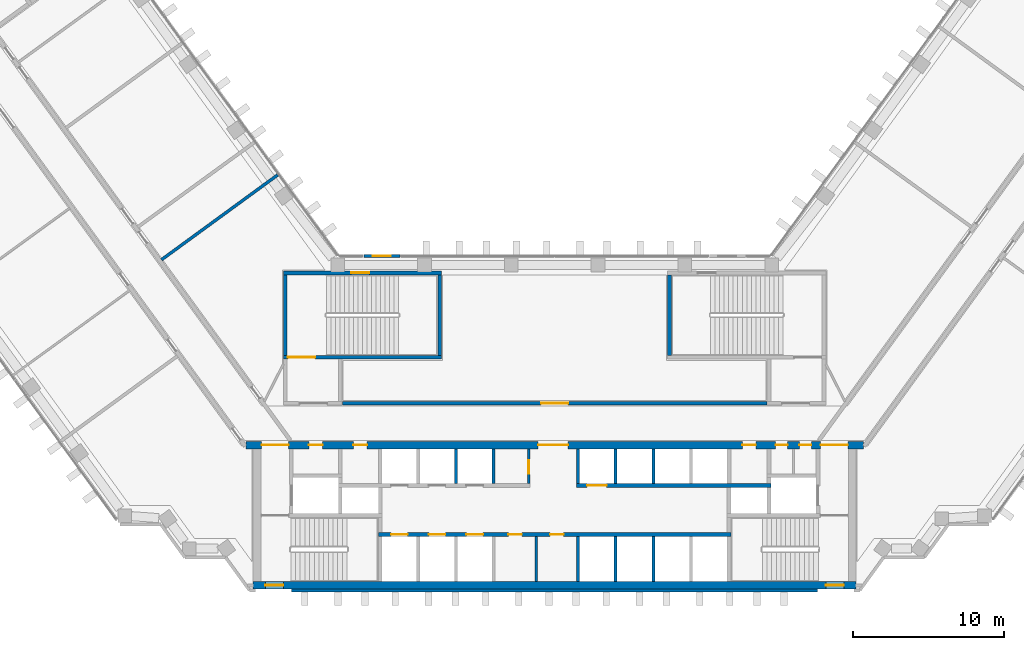
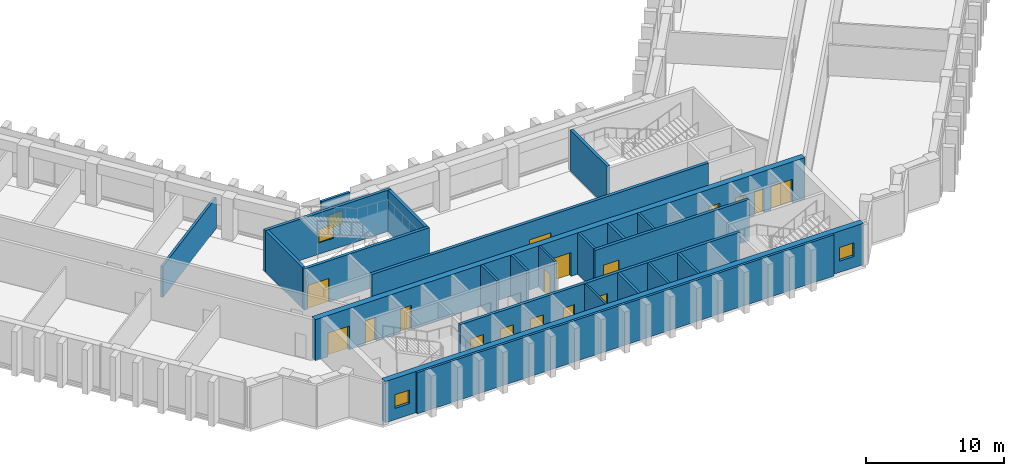
# One storey, part 9 of 17: 23 walls, 17 doors, 4 windows, 21 openings.
"""IFC4 building model written with IfcOpenShell, lengths in metres."""

from ifc_helpers import new_model, si_unit, direction, frame, frame_2d, origin, place, context, subcontext, project, spatial, rectangle, extrude, material, layer, layer_set, type_object, element, fill, save


model = new_model("IFC4")

# Units and contexts
model_context = context("Model", 3, precision=1e-05, world=origin(), true_north=direction((0.0, 1.0)))
body_context = subcontext(model_context, "Body", "Model", "MODEL_VIEW")
ifc_project = project(units=[si_unit("LENGTHUNIT", "METRE"), si_unit("AREAUNIT", "SQUARE_METRE"), si_unit("VOLUMEUNIT", "CUBIC_METRE"), si_unit("PLANEANGLEUNIT", "RADIAN"), si_unit("MASSUNIT", "GRAM", prefix="KILO")], contexts=[model_context])

# Site, building, storey
site_placement = place(None, origin())
site = spatial("IfcSite", under=ifc_project, at=site_placement, CompositionType="ELEMENT")
building_placement = place(site_placement, origin())
building = spatial("IfcBuilding", under=site, at=building_placement, Name="Quipu Civic Tower", CompositionType="ELEMENT")
storey_placement = place(building_placement, frame((0.0, 0.0, 43.0)))
storey = spatial("IfcBuildingStorey", under=building, at=storey_placement, Name="L09", CompositionType="ELEMENT", Elevation=43.0)

# Wall
ifc_material_1 = material(Name="Fired clay blockwork", Category="masonry")
ifc_layer_1 = layer(ifc_material_1, 0.199951171875)
ifc_layer_set_1 = layer_set([ifc_layer_1], Name="Fired clay blockwork")
wall_type_1 = type_object("IfcWallType", Name="Blockwork wall 200", PredefinedType="SOLIDWALL", material=ifc_layer_set_1)
wall_1_placement = place(storey_placement, frame((-26.089111328125, 10.847900390625, 0.0), z_axis=(0.0, 0.0, 1.0), x_axis=(0.807661302092, 0.589646691759, 0.0)))
element("IfcWall", 1, at=wall_1_placement, inside=storey, type_object=wall_type_1, Name="Partition P17", PredefinedType="SOLIDWALL", context=body_context, shape_type="SweptSolid", body=[
    extrude(rectangle(XDim=9.550048828125, YDim=0.199951171875, at=frame_2d((4.77490234375, 0.0))), origin(), (0.0, 0.0, 1.0), 2.75),
])

# Wall, openings, doors
ifc_material_2 = material(Name="Concrete C70/85", Category="concrete")
ifc_layer_2 = layer(ifc_material_2, 0.25)
ifc_layer_set_2 = layer_set([ifc_layer_2], Name="Concrete C70/85")
wall_type_2 = type_object("IfcWallType", Name="Core wall 250", PredefinedType="SHEAR", material=ifc_layer_set_2)
wall_2_placement = place(storey_placement, frame((11.699951171875, -7.375, 0.0), z_axis=(0.0, 0.0, 1.0), x_axis=(-1.0, 0.0, 0.0)))
wall_2 = element("IfcWall", 2, at=wall_2_placement, inside=storey, type_object=wall_type_2, Name="Core wall", PredefinedType="SHEAR", context=body_context, shape_type="SweptSolid", body=[
    extrude(rectangle(XDim=23.39990234375, YDim=0.25, at=frame_2d((11.699951171875, 0.0))), origin(), (0.0, 0.0, 1.0), 3.64990234375),
])
opening_1_placement = place(wall_2_placement, frame((21.449951171875, 0.0, 0.0)))
opening_1 = element("IfcOpeningElement", 3, at=opening_1_placement, cuts=wall_2, Name="Opening LD-LL1", PredefinedType="OPENING", context=body_context, shape_type="SweptSolid", body=[
    extrude(rectangle(XDim=1.10009765625, YDim=2.10009765625, at=frame_2d((0.550048828125, 1.050048828125))), frame((0.0, 0.135009765625, 0.0), z_axis=(0.0, -1.0, 0.0), x_axis=(1.0, 0.0, 0.0)), (0.0, 0.0, 1.0), 0.27001953125),
])
opening_2_placement = place(wall_2_placement, frame((18.949951171875, 0.0, 0.0)))
opening_2 = element("IfcOpeningElement", 4, at=opening_2_placement, cuts=wall_2, Name="Opening LD-LL2", PredefinedType="OPENING", context=body_context, shape_type="SweptSolid", body=[
    extrude(rectangle(XDim=1.10009765625, YDim=2.10009765625, at=frame_2d((0.550048828125, 1.050048828125))), frame((0.0, 0.135009765625, 0.0), z_axis=(0.0, -1.0, 0.0), x_axis=(1.0, 0.0, 0.0)), (0.0, 0.0, 1.0), 0.27001953125),
])
opening_3_placement = place(wall_2_placement, frame((16.449951171875, 0.0, 0.0)))
opening_3 = element("IfcOpeningElement", 5, at=opening_3_placement, cuts=wall_2, Name="Opening LD-LL3", PredefinedType="OPENING", context=body_context, shape_type="SweptSolid", body=[
    extrude(rectangle(XDim=1.10009765625, YDim=2.10009765625, at=frame_2d((0.550048828125, 1.050048828125))), frame((0.0, 0.135009765625, 0.0), z_axis=(0.0, -1.0, 0.0), x_axis=(1.0, 0.0, 0.0)), (0.0, 0.0, 1.0), 0.27001953125),
])
opening_4_placement = place(wall_2_placement, frame((13.875, 0.0, 0.0)))
opening_4 = element("IfcOpeningElement", 6, at=opening_4_placement, cuts=wall_2, Name="Opening CD-01", PredefinedType="OPENING", context=body_context, shape_type="SweptSolid", body=[
    extrude(rectangle(XDim=0.89990234375, YDim=2.10009765625, at=frame_2d((0.449951171875, 1.050048828125))), frame((0.0, 0.135009765625, 0.0), z_axis=(0.0, -1.0, 0.0), x_axis=(1.0, 0.0, 0.0)), (0.0, 0.0, 1.0), 0.27001953125),
])
opening_5_placement = place(wall_2_placement, frame((11.10009765625, 0.0, 0.0)))
opening_5 = element("IfcOpeningElement", 7, at=opening_5_placement, cuts=wall_2, Name="Opening CD-02", PredefinedType="OPENING", context=body_context, shape_type="SweptSolid", body=[
    extrude(rectangle(XDim=0.89990234375, YDim=2.10009765625, at=frame_2d((0.449951171875, 1.050048828125))), frame((0.0, 0.135009765625, 0.0), z_axis=(0.0, -1.0, 0.0), x_axis=(1.0, 0.0, 0.0)), (0.0, 0.0, 1.0), 0.27001953125),
])
ifc_material_3 = material(Name="Fire rated steel door", Category="steel")
door_type_1 = type_object("IfcDoorType", Name="Fire door FD60 900 x 2100", OperationType="NOTDEFINED", PredefinedType="DOOR", material=ifc_material_3)
door_1_placement = place(opening_4_placement, origin())
door_1 = element("IfcDoor", 8, at=door_1_placement, inside=storey, type_object=door_type_1, Name="WC door", OperationType="SINGLE_SWING_RIGHT", OverallHeight=2.10009765625, OverallWidth=0.89990234375, PredefinedType="DOOR", context=body_context, shape_type="SweptSolid", body=[
    extrude(rectangle(XDim=0.89990234375, YDim=2.10009765625, at=frame_2d((0.449951171875, 1.050048828125))), frame((0.0, 0.02490234375, 0.0), z_axis=(0.0, -1.0, 0.0), x_axis=(1.0, 0.0, 0.0)), (0.0, 0.0, 1.0), 0.050048828125),
])
fill(opening_4, door_1)
door_2_placement = place(opening_5_placement, origin())
door_2 = element("IfcDoor", 9, at=door_2_placement, inside=storey, type_object=door_type_1, Name="WC door", OperationType="SINGLE_SWING_LEFT", OverallHeight=2.10009765625, OverallWidth=0.89990234375, PredefinedType="DOOR", context=body_context, shape_type="SweptSolid", body=[
    extrude(rectangle(XDim=0.89990234375, YDim=2.10009765625, at=frame_2d((0.449951171875, 1.050048828125))), frame((0.0, 0.02490234375, 0.0), z_axis=(0.0, -1.0, 0.0), x_axis=(1.0, 0.0, 0.0)), (0.0, 0.0, 1.0), 0.050048828125),
])
fill(opening_5, door_2)
ifc_material_4 = material(Name="Stainless steel", Category="steel")
door_type_2 = type_object("IfcDoorType", Name="Lift landing door 1100 x 2100", OperationType="DOUBLE_DOOR_SLIDING", PredefinedType="DOOR", material=ifc_material_4)
door_3_placement = place(opening_1_placement, origin())
door_3 = element("IfcDoor", 10, at=door_3_placement, inside=storey, type_object=door_type_2, Name="Landing door LL1", OperationType="DOUBLE_DOOR_SLIDING", OverallHeight=2.10009765625, OverallWidth=1.10009765625, PredefinedType="DOOR", context=body_context, shape_type="SweptSolid", body=[
    extrude(rectangle(XDim=1.10009765625, YDim=2.10009765625, at=frame_2d((0.550048828125, 1.050048828125))), frame((0.0, 0.02490234375, 0.0), z_axis=(0.0, -1.0, 0.0), x_axis=(1.0, 0.0, 0.0)), (0.0, 0.0, 1.0), 0.050048828125),
])
fill(opening_1, door_3)
door_4_placement = place(opening_2_placement, origin())
door_4 = element("IfcDoor", 11, at=door_4_placement, inside=storey, type_object=door_type_2, Name="Landing door LL2", OperationType="DOUBLE_DOOR_SLIDING", OverallHeight=2.10009765625, OverallWidth=1.10009765625, PredefinedType="DOOR", context=body_context, shape_type="SweptSolid", body=[
    extrude(rectangle(XDim=1.10009765625, YDim=2.10009765625, at=frame_2d((0.550048828125, 1.050048828125))), frame((0.0, 0.02490234375, 0.0), z_axis=(0.0, -1.0, 0.0), x_axis=(1.0, 0.0, 0.0)), (0.0, 0.0, 1.0), 0.050048828125),
])
fill(opening_2, door_4)
door_5_placement = place(opening_3_placement, origin())
door_5 = element("IfcDoor", 12, at=door_5_placement, inside=storey, type_object=door_type_2, Name="Landing door LL3", OperationType="DOUBLE_DOOR_SLIDING", OverallHeight=2.10009765625, OverallWidth=1.10009765625, PredefinedType="DOOR", context=body_context, shape_type="SweptSolid", body=[
    extrude(rectangle(XDim=1.10009765625, YDim=2.10009765625, at=frame_2d((0.550048828125, 1.050048828125))), frame((0.0, 0.02490234375, 0.0), z_axis=(0.0, -1.0, 0.0), x_axis=(1.0, 0.0, 0.0)), (0.0, 0.0, 1.0), 0.050048828125),
])
fill(opening_3, door_5)

# Wall, opening, door
wall_3_placement = place(storey_placement, frame((1.449951171875, -4.125, 0.0), z_axis=(0.0, 0.0, 1.0), x_axis=(1.0, 0.0, 0.0)))
wall_3 = element("IfcWall", 13, at=wall_3_placement, inside=storey, type_object=wall_type_2, Name="Core wall", PredefinedType="SHEAR", context=body_context, shape_type="SweptSolid", body=[
    extrude(rectangle(XDim=12.900146484375, YDim=0.25, at=frame_2d((6.4501953125, 0.0))), origin(), (0.0, 0.0, 1.0), 3.64990234375),
])
opening_6_placement = place(wall_3_placement, frame((0.699951171875, 0.0, 0.0)))
opening_6 = element("IfcOpeningElement", 14, at=opening_6_placement, cuts=wall_3, Name="Opening LD-FF3", PredefinedType="OPENING", context=body_context, shape_type="SweptSolid", body=[
    extrude(rectangle(XDim=1.300048828125, YDim=2.10009765625, at=frame_2d((0.64990234375, 1.050048828125))), frame((0.0, 0.135009765625, 0.0), z_axis=(0.0, -1.0, 0.0), x_axis=(1.0, 0.0, 0.0)), (0.0, 0.0, 1.0), 0.27001953125),
])
ifc_material_5 = material(Name="Stainless steel", Category="steel")
door_type_3 = type_object("IfcDoorType", Name="Lift landing door 1300 x 2100", OperationType="DOUBLE_DOOR_SLIDING", PredefinedType="DOOR", material=ifc_material_5)
door_6_placement = place(opening_6_placement, origin())
door_6 = element("IfcDoor", 15, at=door_6_placement, inside=storey, type_object=door_type_3, Name="Landing door FF3", OperationType="DOUBLE_DOOR_SLIDING", OverallHeight=2.10009765625, OverallWidth=1.300048828125, PredefinedType="DOOR", context=body_context, shape_type="SweptSolid", body=[
    extrude(rectangle(XDim=1.300048828125, YDim=2.10009765625, at=frame_2d((0.64990234375, 1.050048828125))), frame((0.0, 0.02490234375, 0.0), z_axis=(0.0, -1.0, 0.0), x_axis=(1.0, 0.0, 0.0)), (0.0, 0.0, 1.0), 0.050048828125),
])
fill(opening_6, door_6)

wall_4_placement = place(storey_placement, frame((-18.0, 4.375, 0.0), z_axis=(0.0, 0.0, 1.0), x_axis=(1.0, 0.0, 0.0)))
wall_4 = element("IfcWall", 16, at=wall_4_placement, inside=storey, type_object=wall_type_2, Name="Core wall", PredefinedType="SHEAR", context=body_context, shape_type="SweptSolid", body=[
    extrude(rectangle(XDim=10.5, YDim=0.25, at=frame_2d((5.25, 0.0))), origin(), (0.0, 0.0, 1.0), 3.64990234375),
])
opening_7_placement = place(wall_4_placement, frame((0.300048828125, 0.0, 0.0)))
opening_7 = element("IfcOpeningElement", 17, at=opening_7_placement, cuts=wall_4, Name="Opening CD-15", PredefinedType="OPENING", context=body_context, shape_type="SweptSolid", body=[
    extrude(rectangle(XDim=1.800048828125, YDim=2.10009765625, at=frame_2d((0.89990234375, 1.050048828125))), frame((0.0, 0.135009765625, 0.0), z_axis=(0.0, -1.0, 0.0), x_axis=(1.0, 0.0, 0.0)), (0.0, 0.0, 1.0), 0.27001953125),
])
ifc_material_6 = material(Name="Fire rated steel door", Category="steel")
door_type_4 = type_object("IfcDoorType", Name="Fire door FD90 double 1800 x 2100", OperationType="NOTDEFINED", PredefinedType="DOOR", material=ifc_material_6)
door_7_placement = place(opening_7_placement, origin())
door_7 = element("IfcDoor", 18, at=door_7_placement, inside=storey, type_object=door_type_4, Name="Door", OperationType="DOUBLE_DOOR_SINGLE_SWING", OverallHeight=2.10009765625, OverallWidth=1.800048828125, PredefinedType="DOOR", context=body_context, shape_type="SweptSolid", body=[
    extrude(rectangle(XDim=1.800048828125, YDim=2.10009765625, at=frame_2d((0.89990234375, 1.050048828125))), frame((0.0, 0.02490234375, 0.0), z_axis=(0.0, -1.0, 0.0), x_axis=(1.0, 0.0, 0.0)), (0.0, 0.0, 1.0), 0.050048828125),
])
fill(opening_7, door_7)

# Walls
for number, where, z_axis, x_axis, name in (
    (19, (-17.875, 4.5, 0.0), (0.0, 0.0, 1.0), (0.0, 1.0, 0.0), "Core wall"),
    (20, (-7.625, 4.5, 0.0), (0.0, 0.0, 1.0), (0.0, 1.0, 0.0), "Core wall"),
):
    element("IfcWall", number, at=place(storey_placement, frame(where, z_axis=z_axis, x_axis=x_axis)), inside=storey, type_object=wall_type_2, Name=name, PredefinedType="SHEAR", context=body_context, shape_type="SweptSolid", body=[
        extrude(rectangle(XDim=5.35009765625, YDim=0.25, at=frame_2d((2.675048828125, 0.0))), origin(), (0.0, 0.0, 1.0), 3.64990234375),
    ])

# Wall, opening, window
wall_5_placement = place(storey_placement, frame((-18.0, 9.97509765625, 0.0), z_axis=(0.0, 0.0, 1.0), x_axis=(1.0, 0.0, 0.0)))
wall_5 = element("IfcWall", 21, at=wall_5_placement, inside=storey, type_object=wall_type_2, Name="Core wall", PredefinedType="SHEAR", context=body_context, shape_type="SweptSolid", body=[
    extrude(rectangle(XDim=10.5, YDim=0.25, at=frame_2d((5.25, 0.0))), origin(), (0.0, 0.0, 1.0), 3.64990234375),
])
opening_8_placement = place(wall_5_placement, frame((4.5, 0.0, 1.0)))
opening_8 = element("IfcOpeningElement", 22, at=opening_8_placement, cuts=wall_5, Name="Opening SV-3", PredefinedType="OPENING", context=body_context, shape_type="SweptSolid", body=[
    extrude(rectangle(XDim=1.199951171875, YDim=1.199951171875, at=frame_2d((0.60009765625, 0.60009765625))), frame((0.0, 0.135009765625, 0.0), z_axis=(0.0, -1.0, 0.0), x_axis=(1.0, 0.0, 0.0)), (0.0, 0.0, 1.0), 0.27001953125),
])
ifc_material_7 = material(Name="Aluminium louvre", Category="aluminium")
window_type_1 = type_object("IfcWindowType", Name="Stair ventilation louvre 1200 x 1200", PartitioningType="SINGLE_PANEL", PredefinedType="WINDOW", material=ifc_material_7)
window_1_placement = place(opening_8_placement, origin())
window_1 = element("IfcWindow", 23, at=window_1_placement, inside=storey, type_object=window_type_1, Name="Stair ventilation opening", OverallHeight=1.199951171875, OverallWidth=1.199951171875, PartitioningType="SINGLE_PANEL", PredefinedType="WINDOW", context=body_context, shape_type="SweptSolid", body=[
    extrude(rectangle(XDim=1.199951171875, YDim=1.199951171875, at=frame_2d((0.60009765625, 0.60009765625))), frame((0.0, 0.030029296875, 0.0), z_axis=(0.0, -1.0, 0.0), x_axis=(1.0, 0.0, 0.0)), (0.0, 0.0, 1.0), 0.06005859375),
])
fill(opening_8, window_1)

# Wall
wall_6_placement = place(storey_placement, frame((7.625, 4.5, 0.0), z_axis=(0.0, 0.0, 1.0), x_axis=(0.0, 1.0, 0.0)))
element("IfcWall", 24, at=wall_6_placement, inside=storey, type_object=wall_type_2, Name="Core wall", PredefinedType="SHEAR", context=body_context, shape_type="SweptSolid", body=[
    extrude(rectangle(XDim=5.35009765625, YDim=0.25, at=frame_2d((2.675048828125, 0.0))), origin(), (0.0, 0.0, 1.0), 3.64990234375),
])

# Wall, openings, windows
ifc_material_8 = material(Name="Concrete C70/85", Category="concrete")
ifc_layer_3 = layer(ifc_material_8, 0.5)
ifc_layer_set_3 = layer_set([ifc_layer_3], Name="Concrete C70/85")
wall_type_3 = type_object("IfcWallType", Name="Core wall 500", PredefinedType="SHEAR", material=ifc_layer_set_3)
wall_7_placement = place(storey_placement, frame((-20.0, -10.75, 0.0), z_axis=(0.0, 0.0, 1.0), x_axis=(1.0, 0.0, 0.0)))
wall_7 = element("IfcWall", 25, at=wall_7_placement, inside=storey, type_object=wall_type_3, Name="Core wall", PredefinedType="SHEAR", context=body_context, shape_type="SweptSolid", body=[
    extrude(rectangle(XDim=40.0, YDim=0.5, at=frame_2d((20.0, 0.0))), origin(), (0.0, 0.0, 1.0), 3.64990234375),
])
opening_9_placement = place(wall_7_placement, frame((0.800048828125, 0.0, 1.0)))
opening_9 = element("IfcOpeningElement", 26, at=opening_9_placement, cuts=wall_7, Name="Opening SV-1", PredefinedType="OPENING", context=body_context, shape_type="SweptSolid", body=[
    extrude(rectangle(XDim=1.199951171875, YDim=1.199951171875, at=frame_2d((0.60009765625, 0.60009765625))), frame((0.0, 0.260009765625, 0.0), z_axis=(0.0, -1.0, 0.0), x_axis=(1.0, 0.0, 0.0)), (0.0, 0.0, 1.0), 0.52001953125),
])
opening_10_placement = place(wall_7_placement, frame((38.0, 0.0, 1.0)))
opening_10 = element("IfcOpeningElement", 27, at=opening_10_placement, cuts=wall_7, Name="Opening SV-2", PredefinedType="OPENING", context=body_context, shape_type="SweptSolid", body=[
    extrude(rectangle(XDim=1.199951171875, YDim=1.199951171875, at=frame_2d((0.60009765625, 0.60009765625))), frame((0.0, 0.260009765625, 0.0), z_axis=(0.0, -1.0, 0.0), x_axis=(1.0, 0.0, 0.0)), (0.0, 0.0, 1.0), 0.52001953125),
])
window_2_placement = place(opening_9_placement, origin())
window_2 = element("IfcWindow", 28, at=window_2_placement, inside=storey, type_object=window_type_1, Name="Stair ventilation opening", OverallHeight=1.199951171875, OverallWidth=1.199951171875, PartitioningType="SINGLE_PANEL", PredefinedType="WINDOW", context=body_context, shape_type="SweptSolid", body=[
    extrude(rectangle(XDim=1.199951171875, YDim=1.199951171875, at=frame_2d((0.60009765625, 0.60009765625))), frame((0.0, 0.030029296875, 0.0), z_axis=(0.0, -1.0, 0.0), x_axis=(1.0, 0.0, 0.0)), (0.0, 0.0, 1.0), 0.06005859375),
])
fill(opening_9, window_2)
window_3_placement = place(opening_10_placement, origin())
window_3 = element("IfcWindow", 29, at=window_3_placement, inside=storey, type_object=window_type_1, Name="Stair ventilation opening", OverallHeight=1.199951171875, OverallWidth=1.199951171875, PartitioningType="SINGLE_PANEL", PredefinedType="WINDOW", context=body_context, shape_type="SweptSolid", body=[
    extrude(rectangle(XDim=1.199951171875, YDim=1.199951171875, at=frame_2d((0.60009765625, 0.60009765625))), frame((0.0, 0.030029296875, 0.0), z_axis=(0.0, -1.0, 0.0), x_axis=(1.0, 0.0, 0.0)), (0.0, 0.0, 1.0), 0.06005859375),
])
fill(opening_10, window_3)

# Wall, openings, doors
wall_8_placement = place(storey_placement, frame((20.489990234375, -1.449951171875, 0.0), z_axis=(0.0, 0.0, 1.0), x_axis=(-1.0, 0.0, 0.0)))
wall_8 = element("IfcWall", 30, at=wall_8_placement, inside=storey, type_object=wall_type_3, Name="Core wall", PredefinedType="SHEAR", context=body_context, shape_type="SweptSolid", body=[
    extrude(rectangle(XDim=40.97998046875, YDim=0.5, at=frame_2d((20.489990234375, 0.0))), origin(), (0.0, 0.0, 1.0), 3.64990234375),
])
opening_11_placement = place(wall_8_placement, frame((38.139892578125, 0.0, 0.0)))
opening_11 = element("IfcOpeningElement", 31, at=opening_11_placement, cuts=wall_8, Name="Opening CD-06", PredefinedType="OPENING", context=body_context, shape_type="SweptSolid", body=[
    extrude(rectangle(XDim=1.800048828125, YDim=2.10009765625, at=frame_2d((0.89990234375, 1.050048828125))), frame((0.0, 0.260009765625, 0.0), z_axis=(0.0, -1.0, 0.0), x_axis=(1.0, 0.0, 0.0)), (0.0, 0.0, 1.0), 0.52001953125),
])
opening_12_placement = place(wall_8_placement, frame((35.889892578125, 0.0, 0.0)))
opening_12 = element("IfcOpeningElement", 32, at=opening_12_placement, cuts=wall_8, Name="Opening CD-07", PredefinedType="OPENING", context=body_context, shape_type="SweptSolid", body=[
    extrude(rectangle(XDim=0.89990234375, YDim=2.10009765625, at=frame_2d((0.449951171875, 1.050048828125))), frame((0.0, 0.260009765625, 0.0), z_axis=(0.0, -1.0, 0.0), x_axis=(1.0, 0.0, 0.0)), (0.0, 0.0, 1.0), 0.52001953125),
])
opening_13_placement = place(wall_8_placement, frame((32.93994140625, 0.0, 0.0)))
opening_13 = element("IfcOpeningElement", 33, at=opening_13_placement, cuts=wall_8, Name="Opening CD-08", PredefinedType="OPENING", context=body_context, shape_type="SweptSolid", body=[
    extrude(rectangle(XDim=0.89990234375, YDim=2.10009765625, at=frame_2d((0.449951171875, 1.050048828125))), frame((0.0, 0.260009765625, 0.0), z_axis=(0.0, -1.0, 0.0), x_axis=(1.0, 0.0, 0.0)), (0.0, 0.0, 1.0), 0.52001953125),
])
opening_14_placement = place(wall_8_placement, frame((19.590087890625, 0.0, 0.0)))
opening_14 = element("IfcOpeningElement", 34, at=opening_14_placement, cuts=wall_8, Name="Opening CD-09", PredefinedType="OPENING", context=body_context, shape_type="SweptSolid", body=[
    extrude(rectangle(XDim=2.0, YDim=2.10009765625, at=frame_2d((1.0, 1.050048828125))), frame((0.0, 0.260009765625, 0.0), z_axis=(0.0, -1.0, 0.0), x_axis=(1.0, 0.0, 0.0)), (0.0, 0.0, 1.0), 0.52001953125),
])
opening_15_placement = place(wall_8_placement, frame((7.139892578125, 0.0, 0.0)))
opening_15 = element("IfcOpeningElement", 35, at=opening_15_placement, cuts=wall_8, Name="Opening CD-10", PredefinedType="OPENING", context=body_context, shape_type="SweptSolid", body=[
    extrude(rectangle(XDim=0.89990234375, YDim=2.10009765625, at=frame_2d((0.449951171875, 1.050048828125))), frame((0.0, 0.260009765625, 0.0), z_axis=(0.0, -1.0, 0.0), x_axis=(1.0, 0.0, 0.0)), (0.0, 0.0, 1.0), 0.52001953125),
])
opening_16_placement = place(wall_8_placement, frame((5.027587890625, 0.0, 0.0)))
opening_16 = element("IfcOpeningElement", 36, at=opening_16_placement, cuts=wall_8, Name="Opening CD-11", PredefinedType="OPENING", context=body_context, shape_type="SweptSolid", body=[
    extrude(rectangle(XDim=0.800048828125, YDim=2.10009765625, at=frame_2d((0.39990234375, 1.050048828125))), frame((0.0, 0.260009765625, 0.0), z_axis=(0.0, -1.0, 0.0), x_axis=(1.0, 0.0, 0.0)), (0.0, 0.0, 1.0), 0.52001953125),
])
opening_17_placement = place(wall_8_placement, frame((3.452392578125, 0.0, 0.0)))
opening_17 = element("IfcOpeningElement", 37, at=opening_17_placement, cuts=wall_8, Name="Opening CD-12", PredefinedType="OPENING", context=body_context, shape_type="SweptSolid", body=[
    extrude(rectangle(XDim=0.800048828125, YDim=2.10009765625, at=frame_2d((0.39990234375, 1.050048828125))), frame((0.0, 0.260009765625, 0.0), z_axis=(0.0, -1.0, 0.0), x_axis=(1.0, 0.0, 0.0)), (0.0, 0.0, 1.0), 0.52001953125),
])
opening_18_placement = place(wall_8_placement, frame((1.0400390625, 0.0, 0.0)))
opening_18 = element("IfcOpeningElement", 38, at=opening_18_placement, cuts=wall_8, Name="Opening CD-13", PredefinedType="OPENING", context=body_context, shape_type="SweptSolid", body=[
    extrude(rectangle(XDim=1.800048828125, YDim=2.10009765625, at=frame_2d((0.89990234375, 1.050048828125))), frame((0.0, 0.260009765625, 0.0), z_axis=(0.0, -1.0, 0.0), x_axis=(1.0, 0.0, 0.0)), (0.0, 0.0, 1.0), 0.52001953125),
])
ifc_material_9 = material(Name="Fire rated steel door", Category="steel")
door_type_5 = type_object("IfcDoorType", Name="Fire door FD60 800 x 2100", OperationType="NOTDEFINED", PredefinedType="DOOR", material=ifc_material_9)
door_8_placement = place(opening_16_placement, origin())
door_8 = element("IfcDoor", 39, at=door_8_placement, inside=storey, type_object=door_type_5, Name="Door", OperationType="SINGLE_SWING_LEFT", OverallHeight=2.10009765625, OverallWidth=0.800048828125, PredefinedType="DOOR", context=body_context, shape_type="SweptSolid", body=[
    extrude(rectangle(XDim=0.800048828125, YDim=2.10009765625, at=frame_2d((0.39990234375, 1.050048828125))), frame((0.0, 0.02490234375, 0.0), z_axis=(0.0, -1.0, 0.0), x_axis=(1.0, 0.0, 0.0)), (0.0, 0.0, 1.0), 0.050048828125),
])
fill(opening_16, door_8)
door_9_placement = place(opening_17_placement, origin())
door_9 = element("IfcDoor", 40, at=door_9_placement, inside=storey, type_object=door_type_5, Name="Door", OperationType="SINGLE_SWING_LEFT", OverallHeight=2.10009765625, OverallWidth=0.800048828125, PredefinedType="DOOR", context=body_context, shape_type="SweptSolid", body=[
    extrude(rectangle(XDim=0.800048828125, YDim=2.10009765625, at=frame_2d((0.39990234375, 1.050048828125))), frame((0.0, 0.02490234375, 0.0), z_axis=(0.0, -1.0, 0.0), x_axis=(1.0, 0.0, 0.0)), (0.0, 0.0, 1.0), 0.050048828125),
])
fill(opening_17, door_9)
door_10_placement = place(opening_12_placement, origin())
door_10 = element("IfcDoor", 41, at=door_10_placement, inside=storey, type_object=door_type_1, Name="Door", OperationType="SINGLE_SWING_RIGHT", OverallHeight=2.10009765625, OverallWidth=0.89990234375, PredefinedType="DOOR", context=body_context, shape_type="SweptSolid", body=[
    extrude(rectangle(XDim=0.89990234375, YDim=2.10009765625, at=frame_2d((0.449951171875, 1.050048828125))), frame((0.0, 0.02490234375, 0.0), z_axis=(0.0, -1.0, 0.0), x_axis=(1.0, 0.0, 0.0)), (0.0, 0.0, 1.0), 0.050048828125),
])
fill(opening_12, door_10)
door_11_placement = place(opening_13_placement, origin())
door_11 = element("IfcDoor", 42, at=door_11_placement, inside=storey, type_object=door_type_1, Name="Riser door", OperationType="SINGLE_SWING_RIGHT", OverallHeight=2.10009765625, OverallWidth=0.89990234375, PredefinedType="DOOR", context=body_context, shape_type="SweptSolid", body=[
    extrude(rectangle(XDim=0.89990234375, YDim=2.10009765625, at=frame_2d((0.449951171875, 1.050048828125))), frame((0.0, 0.02490234375, 0.0), z_axis=(0.0, -1.0, 0.0), x_axis=(1.0, 0.0, 0.0)), (0.0, 0.0, 1.0), 0.050048828125),
])
fill(opening_13, door_11)
door_12_placement = place(opening_15_placement, origin())
door_12 = element("IfcDoor", 43, at=door_12_placement, inside=storey, type_object=door_type_1, Name="Riser door", OperationType="SINGLE_SWING_LEFT", OverallHeight=2.10009765625, OverallWidth=0.89990234375, PredefinedType="DOOR", context=body_context, shape_type="SweptSolid", body=[
    extrude(rectangle(XDim=0.89990234375, YDim=2.10009765625, at=frame_2d((0.449951171875, 1.050048828125))), frame((0.0, 0.02490234375, 0.0), z_axis=(0.0, -1.0, 0.0), x_axis=(1.0, 0.0, 0.0)), (0.0, 0.0, 1.0), 0.050048828125),
])
fill(opening_15, door_12)
door_13_placement = place(opening_11_placement, origin())
door_13 = element("IfcDoor", 44, at=door_13_placement, inside=storey, type_object=door_type_4, Name="Lobby door", OperationType="DOUBLE_DOOR_SINGLE_SWING", OverallHeight=2.10009765625, OverallWidth=1.800048828125, PredefinedType="DOOR", context=body_context, shape_type="SweptSolid", body=[
    extrude(rectangle(XDim=1.800048828125, YDim=2.10009765625, at=frame_2d((0.89990234375, 1.050048828125))), frame((0.0, 0.02490234375, 0.0), z_axis=(0.0, -1.0, 0.0), x_axis=(1.0, 0.0, 0.0)), (0.0, 0.0, 1.0), 0.050048828125),
])
fill(opening_11, door_13)
door_14_placement = place(opening_18_placement, origin())
door_14 = element("IfcDoor", 45, at=door_14_placement, inside=storey, type_object=door_type_4, Name="Lobby door", OperationType="DOUBLE_DOOR_SINGLE_SWING", OverallHeight=2.10009765625, OverallWidth=1.800048828125, PredefinedType="DOOR", context=body_context, shape_type="SweptSolid", body=[
    extrude(rectangle(XDim=1.800048828125, YDim=2.10009765625, at=frame_2d((0.89990234375, 1.050048828125))), frame((0.0, 0.02490234375, 0.0), z_axis=(0.0, -1.0, 0.0), x_axis=(1.0, 0.0, 0.0)), (0.0, 0.0, 1.0), 0.050048828125),
])
fill(opening_18, door_14)
ifc_material_10 = material(Name="Fire rated steel door", Category="steel")
door_type_6 = type_object("IfcDoorType", Name="Fire door FD90 double 2000 x 2100", OperationType="NOTDEFINED", PredefinedType="DOOR", material=ifc_material_10)
door_15_placement = place(opening_14_placement, origin())
door_15 = element("IfcDoor", 46, at=door_15_placement, inside=storey, type_object=door_type_6, Name="Lobby door", OperationType="DOUBLE_DOOR_SINGLE_SWING", OverallHeight=2.10009765625, OverallWidth=2.0, PredefinedType="DOOR", context=body_context, shape_type="SweptSolid", body=[
    extrude(rectangle(XDim=2.0, YDim=2.10009765625, at=frame_2d((1.0, 1.050048828125))), frame((0.0, 0.02490234375, 0.0), z_axis=(0.0, -1.0, 0.0), x_axis=(1.0, 0.0, 0.0)), (0.0, 0.0, 1.0), 0.050048828125),
])
fill(opening_14, door_15)

# Wall, opening, door
ifc_material_11 = material(Name="Concrete C50/60", Category="concrete")
ifc_layer_4 = layer(ifc_material_11, 0.25)
ifc_layer_set_4 = layer_set([ifc_layer_4], Name="Concrete C50/60")
wall_type_4 = type_object("IfcWallType", Name="Corridor wall 250 concrete", PredefinedType="SOLIDWALL", material=ifc_layer_set_4)
wall_9_placement = place(storey_placement, frame((-14.090087890625, 1.324951171875, 0.0), z_axis=(0.0, 0.0, 1.0), x_axis=(1.0, 0.0, 0.0)))
wall_9 = element("IfcWall", 47, at=wall_9_placement, inside=storey, type_object=wall_type_4, Name="Corridor wall C05", PredefinedType="SOLIDWALL", context=body_context, shape_type="SweptSolid", body=[
    extrude(rectangle(XDim=28.18017578125, YDim=0.25, at=frame_2d((14.090087890625, 0.0))), origin(), (0.0, 0.0, 1.0), 3.64990234375),
])
opening_19_placement = place(wall_9_placement, frame((13.18994140625, 0.0, 0.0)))
opening_19 = element("IfcOpeningElement", 48, at=opening_19_placement, cuts=wall_9, Name="Opening D011", PredefinedType="OPENING", context=body_context, shape_type="SweptSolid", body=[
    extrude(rectangle(XDim=1.800048828125, YDim=2.10009765625, at=frame_2d((0.89990234375, 1.050048828125))), frame((0.0, 0.135009765625, 0.0), z_axis=(0.0, -1.0, 0.0), x_axis=(1.0, 0.0, 0.0)), (0.0, 0.0, 1.0), 0.27001953125),
])
ifc_material_12 = material(Name="Fire rated timber door set with metal frame", Category="wood")
door_type_7 = type_object("IfcDoorType", Name="Double door 1800 x 2100 FD60", OperationType="DOUBLE_DOOR_SINGLE_SWING", PredefinedType="DOOR", material=ifc_material_12)
door_16_placement = place(opening_19_placement, origin())
door_16 = element("IfcDoor", 49, at=door_16_placement, inside=storey, type_object=door_type_7, Name="Door D011", OperationType="DOUBLE_DOOR_SINGLE_SWING", OverallHeight=2.10009765625, OverallWidth=1.800048828125, PredefinedType="DOOR", context=body_context, shape_type="SweptSolid", body=[
    extrude(rectangle(XDim=1.800048828125, YDim=2.10009765625, at=frame_2d((0.89990234375, 1.050048828125))), frame((0.0, 0.02490234375, 0.0), z_axis=(0.0, -1.0, 0.0), x_axis=(1.0, 0.0, 0.0)), (0.0, 0.0, 1.0), 0.050048828125),
])
fill(opening_19, door_16)

# Wall
ifc_material_13 = material(Name="Gypsum board partition")
ifc_layer_5 = layer(ifc_material_13, 0.14990234375)
ifc_layer_set_5 = layer_set([ifc_layer_5], Name="Gypsum board partition")
wall_type_5 = type_object("IfcWallType", Name="Partition 150", PredefinedType="PARTITIONING", material=ifc_layer_set_5)
wall_10_placement = place(storey_placement, frame((-1.22509765625, -10.5, 0.0), z_axis=(0.0, 0.0, 1.0), x_axis=(0.0, 1.0, 0.0)))
element("IfcWall", 50, at=wall_10_placement, inside=storey, type_object=wall_type_5, Name="Partition", PredefinedType="PARTITIONING", context=body_context, shape_type="SweptSolid", body=[
    extrude(rectangle(XDim=3.0, YDim=0.14990234375, at=frame_2d((1.5, 0.0))), origin(), (0.0, 0.0, 1.0), 3.64990234375),
])

# Wall, opening, door
wall_11_placement = place(storey_placement, frame((-1.72509765625, -1.699951171875, 0.0), z_axis=(0.0, 0.0, 1.0), x_axis=(0.0, -1.0, 0.0)))
wall_11 = element("IfcWall", 51, at=wall_11_placement, inside=storey, type_object=wall_type_5, Name="Partition", PredefinedType="PARTITIONING", context=body_context, shape_type="SweptSolid", body=[
    extrude(rectangle(XDim=2.300048828125, YDim=0.14990234375, at=frame_2d((1.14990234375, 0.0))), origin(), (0.0, 0.0, 1.0), 3.64990234375),
])
opening_20_placement = place(wall_11_placement, frame((0.75, 0.0, 0.0)))
opening_20 = element("IfcOpeningElement", 52, at=opening_20_placement, cuts=wall_11, Name="Opening CD-05", PredefinedType="OPENING", context=body_context, shape_type="SweptSolid", body=[
    extrude(rectangle(XDim=0.89990234375, YDim=2.10009765625, at=frame_2d((0.449951171875, 1.050048828125))), frame((0.0, 0.0849609375, 0.0), z_axis=(0.0, -1.0, 0.0), x_axis=(1.0, 0.0, 0.0)), (0.0, 0.0, 1.0), 0.169921875),
])
door_17_placement = place(opening_20_placement, origin())
door_17 = element("IfcDoor", 53, at=door_17_placement, inside=storey, type_object=door_type_1, Name="WC door", OperationType="SINGLE_SWING_RIGHT", OverallHeight=2.10009765625, OverallWidth=0.89990234375, PredefinedType="DOOR", context=body_context, shape_type="SweptSolid", body=[
    extrude(rectangle(XDim=0.89990234375, YDim=2.10009765625, at=frame_2d((0.449951171875, 1.050048828125))), frame((0.0, 0.02490234375, 0.0), z_axis=(0.0, -1.0, 0.0), x_axis=(1.0, 0.0, 0.0)), (0.0, 0.0, 1.0), 0.050048828125),
])
fill(opening_20, door_17)

# Wall
ifc_material_14 = material(Name="Precast concrete C40/50", Category="concrete")
wall_type_6 = type_object("IfcWallType", Name="Precast cladding wall", PredefinedType="SOLIDWALL", material=ifc_material_14)
wall_12_placement = place(storey_placement, frame((-17.44384765625, -11.087890625, 0.0), z_axis=(0.0, 0.0, 1.0), x_axis=(1.0, 0.0, 0.0)))
element("IfcWall", 54, at=wall_12_placement, inside=storey, type_object=wall_type_6, Name="Precast cladding wall L09 13", PredefinedType="SOLIDWALL", context=body_context, shape_type="SweptSolid", body=[
    extrude(rectangle(XDim=34.8876953125, YDim=0.199951171875, at=frame_2d((17.44384765625, 0.0))), origin(), (0.0, 0.0, 1.0), 3.64990234375),
])

# Wall, opening, window
wall_13_placement = place(storey_placement, frame((-10.263427734375, 11.10009765625, 0.0), z_axis=(0.0, 0.0, 1.0), x_axis=(-1.0, 0.0, 0.0)))
wall_13 = element("IfcWall", 55, at=wall_13_placement, inside=storey, type_object=wall_type_6, Name="Vent surround SF-L09-1", PredefinedType="SOLIDWALL", context=body_context, shape_type="SweptSolid", body=[
    extrude(rectangle(XDim=2.3916015625, YDim=0.199951171875, at=frame_2d((1.19580078125, 0.0))), origin(), (0.0, 0.0, 1.0), 3.64990234375),
])
opening_21_placement = place(wall_13_placement, frame((0.595703125, 0.0, 1.0)))
opening_21 = element("IfcOpeningElement", 56, at=opening_21_placement, cuts=wall_13, Name="Opening SF-L09-1", PredefinedType="OPENING", context=body_context, shape_type="SweptSolid", body=[
    extrude(rectangle(XDim=1.199951171875, YDim=1.199951171875, at=frame_2d((0.60009765625, 0.60009765625))), frame((0.0, 0.10986328125, 0.0), z_axis=(0.0, -1.0, 0.0), x_axis=(1.0, 0.0, 0.0)), (0.0, 0.0, 1.0), 0.219970703125),
])
ifc_material_15 = material(Name="Anodised aluminium louvre", Category="aluminium")
window_type_2 = type_object("IfcWindowType", Name="Stair vent louvre window P3", PartitioningType="SINGLE_PANEL", PredefinedType="WINDOW", material=ifc_material_15)
window_4_placement = place(opening_21_placement, origin())
window_4 = element("IfcWindow", 57, at=window_4_placement, inside=storey, type_object=window_type_2, Name="Stair vent louvre SF-L09-1", OverallHeight=1.199951171875, OverallWidth=1.199951171875, PartitioningType="SINGLE_PANEL", PredefinedType="WINDOW", context=body_context, shape_type="SweptSolid", body=[
    extrude(rectangle(XDim=1.199951171875, YDim=1.199951171875, at=frame_2d((0.60009765625, 0.60009765625))), frame((0.0, 0.030029296875, 0.0), z_axis=(0.0, -1.0, 0.0), x_axis=(1.0, 0.0, 0.0)), (0.0, 0.0, 1.0), 0.06005859375),
])
fill(opening_21, window_4)

# Walls
ifc_material_16 = material(Name="Concrete C40/50", Category="concrete")
ifc_layer_6 = layer(ifc_material_16, 0.199951171875)
ifc_layer_set_6 = layer_set([ifc_layer_6], Name="Concrete C40/50")
wall_type_7 = type_object("IfcWallType", Name="Shaft wall 200", PredefinedType="SOLIDWALL", material=ifc_layer_set_6)
for number, where, z_axis, x_axis, name in (
    (58, (1.550048828125, -10.5, 0.0), (0.0, 0.0, 1.0), (0.0, 1.0, 0.0), "Shaft wall"),
    (59, (4.050048828125, -10.5, 0.0), (0.0, 0.0, 1.0), (0.0, 1.0, 0.0), "Shaft wall"),
    (60, (6.550048828125, -10.5, 0.0), (0.0, 0.0, 1.0), (0.0, 1.0, 0.0), "Shaft wall"),
):
    element("IfcWall", number, at=place(storey_placement, frame(where, z_axis=z_axis, x_axis=x_axis)), inside=storey, type_object=wall_type_7, Name=name, PredefinedType="SOLIDWALL", context=body_context, shape_type="SweptSolid", body=[
        extrude(rectangle(XDim=3.0, YDim=0.199951171875, at=frame_2d((1.5, 0.0))), origin(), (0.0, 0.0, 1.0), 3.64990234375),
    ])
for number, where, z_axis, x_axis, name in (
    (61, (-6.550048828125, -4.0, 0.0), (0.0, 0.0, 1.0), (0.0, 1.0, 0.0), "Shaft wall"),
    (62, (-4.050048828125, -4.0, 0.0), (0.0, 0.0, 1.0), (0.0, 1.0, 0.0), "Shaft wall"),
    (63, (1.550048828125, -4.0, 0.0), (0.0, 0.0, 1.0), (0.0, 1.0, 0.0), "Shaft wall"),
    (64, (4.050048828125, -4.0, 0.0), (0.0, 0.0, 1.0), (0.0, 1.0, 0.0), "Shaft wall"),
    (65, (6.550048828125, -4.0, 0.0), (0.0, 0.0, 1.0), (0.0, 1.0, 0.0), "Shaft wall"),
):
    element("IfcWall", number, at=place(storey_placement, frame(where, z_axis=z_axis, x_axis=x_axis)), inside=storey, type_object=wall_type_7, Name=name, PredefinedType="SOLIDWALL", context=body_context, shape_type="SweptSolid", body=[
        extrude(rectangle(XDim=2.300048828125, YDim=0.199951171875, at=frame_2d((1.14990234375, 0.0))), origin(), (0.0, 0.0, 1.0), 3.64990234375),
    ])

save(model, "model.ifc")
